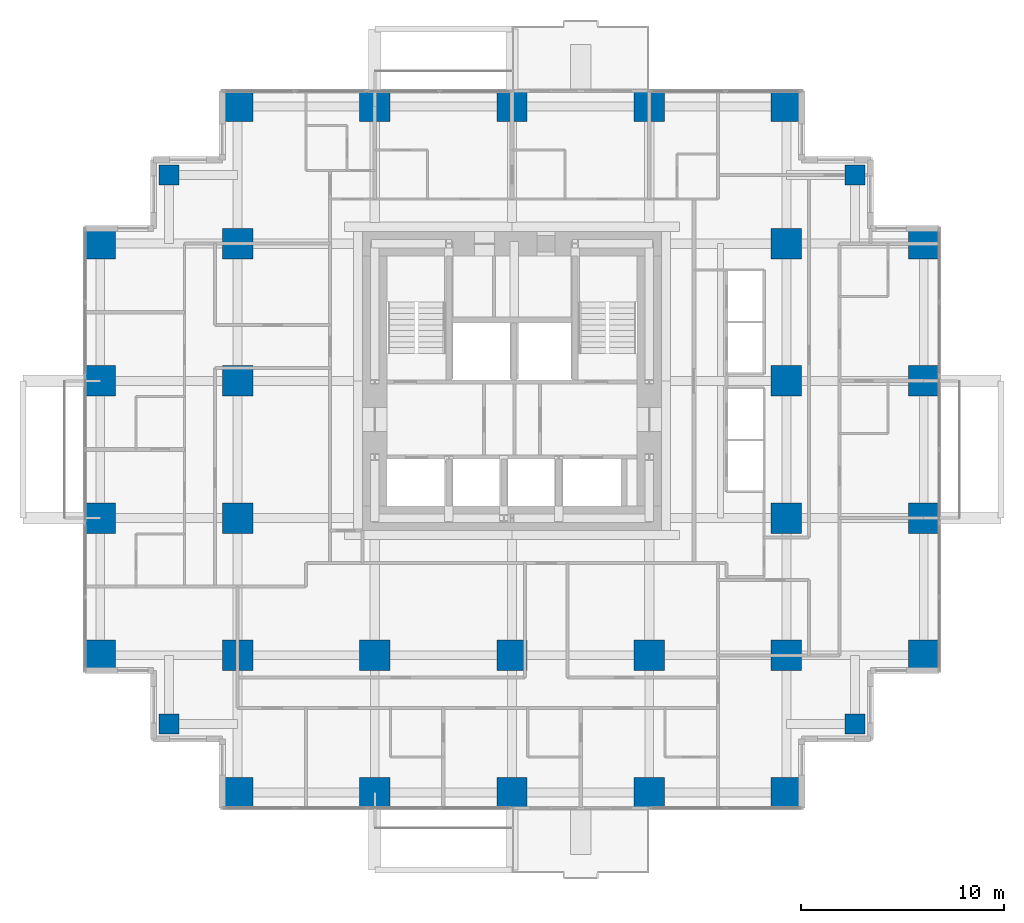
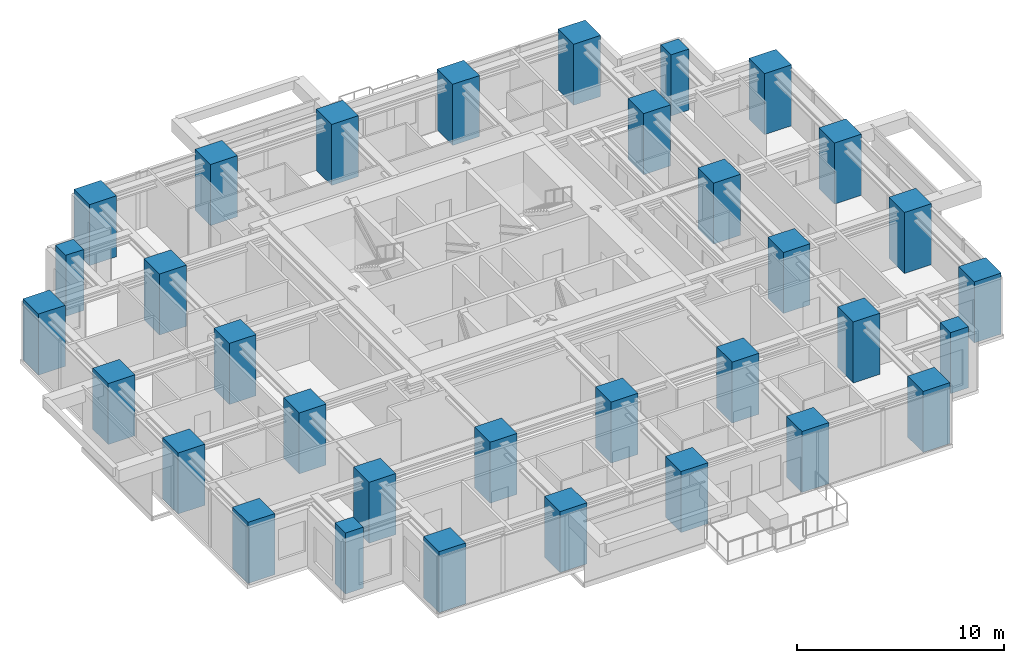
# One storey, part 1 of 12: 33 columns.
"""IFC4 building model written with IfcOpenShell, lengths in metres."""

from ifc_helpers import new_model, si_unit, direction, frame, origin, origin_2d, place, context, subcontext, project, spatial, rectangle, extrude, material, material_profile, profile_set, type_object, element, save


model = new_model("IFC4")

# Units and contexts
model_context = context("Model", 3, precision=1e-05, world=origin(), true_north=direction((0.0, 1.0)))
body_context = subcontext(model_context, "Body", "Model", "MODEL_VIEW")
ifc_project = project(units=[si_unit("LENGTHUNIT", "METRE"), si_unit("AREAUNIT", "SQUARE_METRE"), si_unit("VOLUMEUNIT", "CUBIC_METRE"), si_unit("PLANEANGLEUNIT", "RADIAN"), si_unit("MASSUNIT", "GRAM", prefix="KILO")], contexts=[model_context])

# Site, building, storey
site_placement = place(None, origin())
site = spatial("IfcSite", under=ifc_project, at=site_placement, CompositionType="ELEMENT")
building_placement = place(site_placement, origin())
building = spatial("IfcBuilding", under=site, at=building_placement, Name="Nyansa Garden Tower", CompositionType="ELEMENT")
storey_placement = place(building_placement, frame((0.0, 0.0, 112.5)))
storey = spatial("IfcBuildingStorey", under=building, at=storey_placement, Name="L30", CompositionType="ELEMENT", Elevation=112.5)

# Columns
ifc_material_1 = material(Name="Concrete C70/85", Category="concrete")
ifc_material_profile_1 = material_profile(ifc_material_1, rectangle(XDim=1.0, YDim=1.0, at=origin_2d()), Name="RC 1000x1000")
ifc_profile_set_1 = profile_set([ifc_material_profile_1], Name="Concrete C70/85")
column_type_1 = type_object("IfcColumnType", Name="Column C100 RC 1000x1000", PredefinedType="COLUMN", material=ifc_profile_set_1)
for number, where, z_axis, x_axis, name in (
    (1, (3.375, 3.375, 0.0), (0.0, 0.0, 1.0), (1.0, 0.0, 0.0), "Column x3.375/y3.375 L30"),
    (2, (3.375, 30.375, 0.0), (0.0, 0.0, 1.0), (1.0, 0.0, 0.0), "Column x3.375/y30.375 L30"),
    (3, (37.125, 3.375, 0.0), (0.0, 0.0, 1.0), (1.0, 0.0, 0.0), "Column x37.125/y3.375 L30"),
    (4, (37.125, 30.375, 0.0), (0.0, 0.0, 1.0), (1.0, 0.0, 0.0), "Column x37.125/y30.375 L30"),
):
    element("IfcColumn", number, at=place(storey_placement, frame(where, z_axis=z_axis, x_axis=x_axis)), inside=storey, type_object=column_type_1, Name=name, PredefinedType="COLUMN", context=body_context, shape_type="SweptSolid", body=[
        extrude(rectangle(XDim=1.0, YDim=1.0, at=origin_2d()), origin(), (0.0, 0.0, 1.0), 3.60009765625),
    ])
ifc_material_2 = material(Name="Concrete C80/95", Category="concrete")
ifc_material_profile_2 = material_profile(ifc_material_2, rectangle(XDim=1.5, YDim=1.5, at=origin_2d()), Name="RC 1500x1500")
ifc_profile_set_2 = profile_set([ifc_material_profile_2], Name="Concrete C80/95")
column_type_2 = type_object("IfcColumnType", Name="Column C150 RC 1500x1500", PredefinedType="COLUMN", material=ifc_profile_set_2)
for number, where, z_axis, x_axis, name in (
    (5, (0.0, 6.75, 0.0), (0.0, 0.0, 1.0), (1.0, 0.0, 0.0), "Column 2/E L30"),
    (6, (0.0, 13.5, 0.0), (0.0, 0.0, 1.0), (1.0, 0.0, 0.0), "Column 2/F L30"),
    (7, (0.0, 20.25, 0.0), (0.0, 0.0, 1.0), (1.0, 0.0, 0.0), "Column 2/G L30"),
    (8, (0.0, 27.0, 0.0), (0.0, 0.0, 1.0), (1.0, 0.0, 0.0), "Column 2/H L30"),
    (9, (6.75, 0.0, 0.0), (0.0, 0.0, 1.0), (1.0, 0.0, 0.0), "Column 3/D L30"),
    (10, (6.75, 6.75, 0.0), (0.0, 0.0, 1.0), (1.0, 0.0, 0.0), "Column 3/E L30"),
    (11, (6.75, 13.5, 0.0), (0.0, 0.0, 1.0), (1.0, 0.0, 0.0), "Column 3/F L30"),
    (12, (6.75, 20.25, 0.0), (0.0, 0.0, 1.0), (1.0, 0.0, 0.0), "Column 3/G L30"),
    (13, (6.75, 27.0, 0.0), (0.0, 0.0, 1.0), (1.0, 0.0, 0.0), "Column 3/H L30"),
    (14, (6.75, 33.75, 0.0), (0.0, 0.0, 1.0), (1.0, 0.0, 0.0), "Column 3/J L30"),
    (15, (13.5, 0.0, 0.0), (0.0, 0.0, 1.0), (1.0, 0.0, 0.0), "Column 4/D L30"),
    (16, (13.5, 6.75, 0.0), (0.0, 0.0, 1.0), (1.0, 0.0, 0.0), "Column 4/E L30"),
    (17, (13.5, 33.75, 0.0), (0.0, 0.0, 1.0), (1.0, 0.0, 0.0), "Column 4/J L30"),
    (18, (20.25, 0.0, 0.0), (0.0, 0.0, 1.0), (1.0, 0.0, 0.0), "Column 5/D L30"),
    (19, (20.25, 6.75, 0.0), (0.0, 0.0, 1.0), (1.0, 0.0, 0.0), "Column 5/E L30"),
    (20, (20.25, 33.75, 0.0), (0.0, 0.0, 1.0), (1.0, 0.0, 0.0), "Column 5/J L30"),
    (21, (27.0, 0.0, 0.0), (0.0, 0.0, 1.0), (1.0, 0.0, 0.0), "Column 6/D L30"),
    (22, (27.0, 6.75, 0.0), (0.0, 0.0, 1.0), (1.0, 0.0, 0.0), "Column 6/E L30"),
    (23, (27.0, 33.75, 0.0), (0.0, 0.0, 1.0), (1.0, 0.0, 0.0), "Column 6/J L30"),
    (24, (33.75, 0.0, 0.0), (0.0, 0.0, 1.0), (1.0, 0.0, 0.0), "Column 7/D L30"),
    (25, (33.75, 6.75, 0.0), (0.0, 0.0, 1.0), (1.0, 0.0, 0.0), "Column 7/E L30"),
    (26, (33.75, 13.5, 0.0), (0.0, 0.0, 1.0), (1.0, 0.0, 0.0), "Column 7/F L30"),
    (27, (33.75, 20.25, 0.0), (0.0, 0.0, 1.0), (1.0, 0.0, 0.0), "Column 7/G L30"),
    (28, (33.75, 27.0, 0.0), (0.0, 0.0, 1.0), (1.0, 0.0, 0.0), "Column 7/H L30"),
    (29, (33.75, 33.75, 0.0), (0.0, 0.0, 1.0), (1.0, 0.0, 0.0), "Column 7/J L30"),
    (30, (40.5, 6.75, 0.0), (0.0, 0.0, 1.0), (1.0, 0.0, 0.0), "Column 8/E L30"),
    (31, (40.5, 13.5, 0.0), (0.0, 0.0, 1.0), (1.0, 0.0, 0.0), "Column 8/F L30"),
    (32, (40.5, 20.25, 0.0), (0.0, 0.0, 1.0), (1.0, 0.0, 0.0), "Column 8/G L30"),
    (33, (40.5, 27.0, 0.0), (0.0, 0.0, 1.0), (1.0, 0.0, 0.0), "Column 8/H L30"),
):
    element("IfcColumn", number, at=place(storey_placement, frame(where, z_axis=z_axis, x_axis=x_axis)), inside=storey, type_object=column_type_2, Name=name, PredefinedType="COLUMN", context=body_context, shape_type="SweptSolid", body=[
        extrude(rectangle(XDim=1.5, YDim=1.5, at=origin_2d()), origin(), (0.0, 0.0, 1.0), 3.60009765625),
    ])

save(model, "model.ifc")
